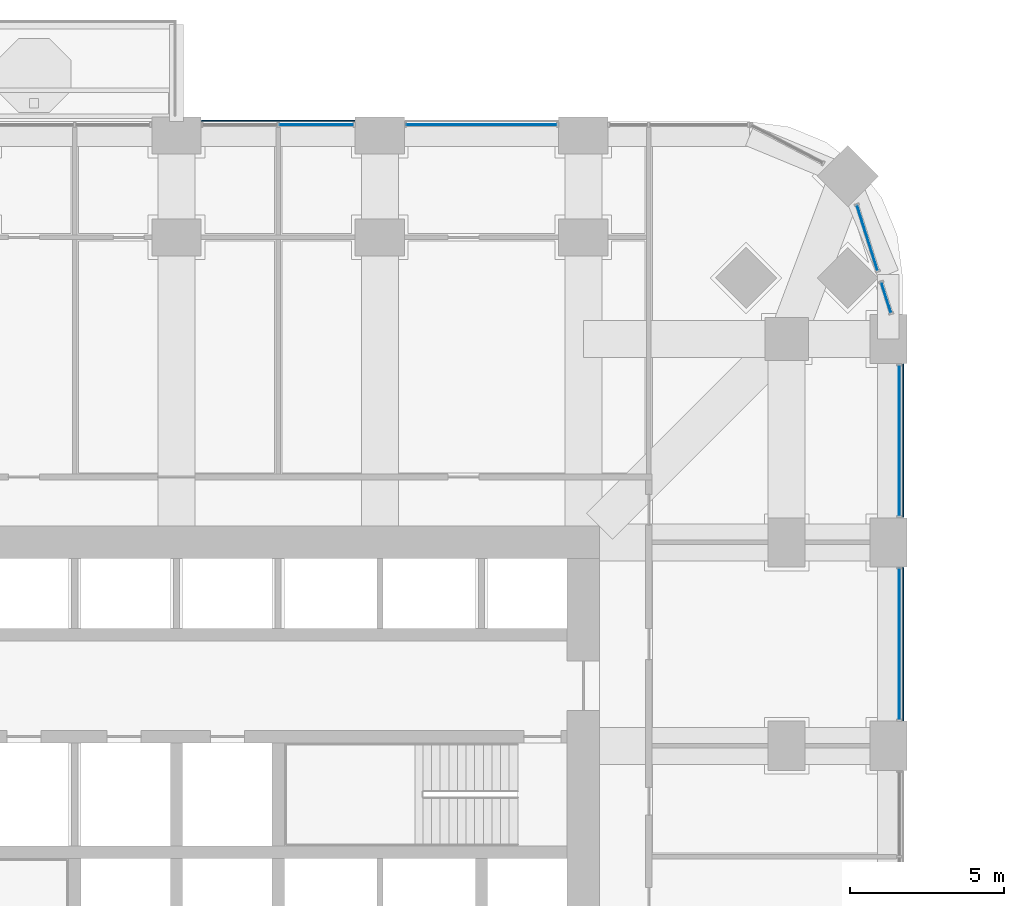
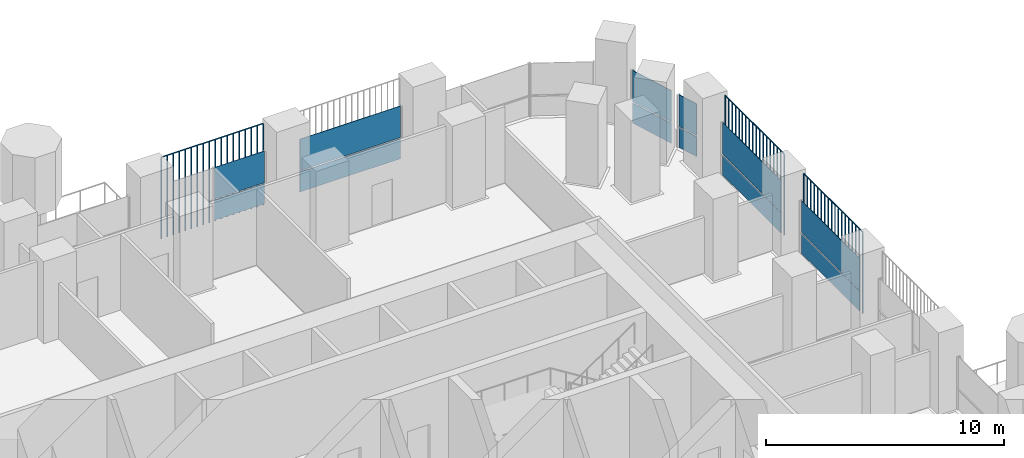
# One storey, part 11 of 21: 15 plates, 6 elements without a shape of their own.
"""IFC4 building model written with IfcOpenShell, lengths in metres."""

from ifc_helpers import new_model, si_unit, direction, frame, origin, origin_2d, place, context, subcontext, project, spatial, polyline, rectangle, outline, extrude, material, layer, layer_set, type_object, element, aggregate, save


model = new_model("IFC4")

# Units and contexts
model_context = context("Model", 3, precision=1e-05, world=origin(), true_north=direction((0.0, 1.0)))
body_context = subcontext(model_context, "Body", "Model", "MODEL_VIEW")
ifc_project = project(units=[si_unit("LENGTHUNIT", "METRE"), si_unit("AREAUNIT", "SQUARE_METRE"), si_unit("VOLUMEUNIT", "CUBIC_METRE"), si_unit("PLANEANGLEUNIT", "RADIAN"), si_unit("MASSUNIT", "GRAM", prefix="KILO")], contexts=[model_context])

# Site, building, storey
site_placement = place(None, origin())
site = spatial("IfcSite", under=ifc_project, at=site_placement, CompositionType="ELEMENT")
building_placement = place(site_placement, origin())
building = spatial("IfcBuilding", under=site, at=building_placement, Name="Cobogo Forest Laboratory Tower", CompositionType="ELEMENT")
storey_placement = place(building_placement, frame((0.0, 0.0, 90.60009765625)))
storey = spatial("IfcBuildingStorey", under=building, at=storey_placement, Name="L20", CompositionType="ELEMENT", Elevation=90.60009765625)

# Curtain wall, plates
ifc_material_1 = material(Name="Aluminium curtain wall", Category="aluminium")
curtain_wall_type = type_object("IfcCurtainWallType", Name="CW-1 unitised curtain wall, clear glazing, laboratory floors zones A and B", PredefinedType="USERDEFINED", material=ifc_material_1)
curtain_wall_1_placement = place(storey_placement, origin())
curtain_wall_1 = element("IfcCurtainWall", 1, at=curtain_wall_1_placement, inside=storey, type_object=curtain_wall_type, Name="Curtain wall 13 L20", ObjectType="UNITISED CURTAIN WALL", PredefinedType="USERDEFINED")
ifc_material_2 = material(Name="Clear insulated glass", Category="glass")
ifc_layer = layer(ifc_material_2, 0.028076171875)
ifc_layer_set = layer_set([ifc_layer], Name="GP-1 clear insulated glass unit 28")
plate_type_1 = type_object("IfcPlateType", Name="GP-1 clear insulated glass unit 28", PredefinedType="CURTAIN_PANEL", material=ifc_layer_set)
plate_1_placement = place(storey_placement, frame((49.85009765625, 29.699951171875, 0.0), z_axis=(0.0, 0.0, 1.0), x_axis=(0.0, 1.0, 0.0)))
plate_1 = element("IfcPlate", 2, at=plate_1_placement, type_object=plate_type_1, Name="CW-1 panel 1.1", PredefinedType="CURTAIN_PANEL", context=body_context, shape_type="SweptSolid", body=[
    extrude(rectangle(XDim=4.8798828125, YDim=0.028076171875, at=origin_2d()), origin(), (0.0, 0.0, 1.0), 1.02001953125),
])
plate_2_placement = place(storey_placement, frame((49.85009765625, 29.699951171875, 1.079833984375), z_axis=(0.0, 0.0, 1.0), x_axis=(0.0, 1.0, 0.0)))
plate_2 = element("IfcPlate", 3, at=plate_2_placement, type_object=plate_type_1, Name="CW-1 panel 1.2", PredefinedType="CURTAIN_PANEL", context=body_context, shape_type="SweptSolid", body=[
    extrude(rectangle(XDim=4.8798828125, YDim=0.028076171875, at=origin_2d()), origin(), (0.0, 0.0, 1.0), 1.6201171875),
])
aggregate(curtain_wall_1, [plate_1, plate_2])

curtain_wall_2_placement = place(storey_placement, origin())
curtain_wall_2 = element("IfcCurtainWall", 4, at=curtain_wall_2_placement, inside=storey, type_object=curtain_wall_type, Name="Curtain wall 14 L20", ObjectType="UNITISED CURTAIN WALL", PredefinedType="USERDEFINED")
plate_3_placement = place(storey_placement, frame((49.85009765625, 36.300048828125, 0.0), z_axis=(0.0, 0.0, 1.0), x_axis=(0.0, 1.0, 0.0)))
plate_3 = element("IfcPlate", 5, at=plate_3_placement, type_object=plate_type_1, Name="CW-1 panel 1.1", PredefinedType="CURTAIN_PANEL", context=body_context, shape_type="SweptSolid", body=[
    extrude(rectangle(XDim=4.8798828125, YDim=0.028076171875, at=origin_2d()), origin(), (0.0, 0.0, 1.0), 1.02001953125),
])
plate_4_placement = place(storey_placement, frame((49.85009765625, 36.300048828125, 1.079833984375), z_axis=(0.0, 0.0, 1.0), x_axis=(0.0, 1.0, 0.0)))
plate_4 = element("IfcPlate", 6, at=plate_4_placement, type_object=plate_type_1, Name="CW-1 panel 1.2", PredefinedType="CURTAIN_PANEL", context=body_context, shape_type="SweptSolid", body=[
    extrude(rectangle(XDim=4.8798828125, YDim=0.028076171875, at=origin_2d()), origin(), (0.0, 0.0, 1.0), 1.6201171875),
])
aggregate(curtain_wall_2, [plate_3, plate_4])

curtain_wall_3_placement = place(storey_placement, origin())
curtain_wall_3 = element("IfcCurtainWall", 7, at=curtain_wall_3_placement, inside=storey, type_object=curtain_wall_type, Name="Curtain wall 15 L20", ObjectType="UNITISED CURTAIN WALL", PredefinedType="USERDEFINED")
plate_5_placement = place(storey_placement, frame((49.426513671875, 40.94091796875, 0.0), z_axis=(0.0, 0.0, 1.0), x_axis=(-0.3011355018, 0.953581359694, 0.0)))
plate_5 = element("IfcPlate", 8, at=plate_5_placement, type_object=plate_type_1, Name="CW-1 panel 1.1", PredefinedType="CURTAIN_PANEL", context=body_context, shape_type="SweptSolid", body=[
    extrude(rectangle(XDim=1.0146484375, YDim=0.028076171875, at=origin_2d()), origin(), (0.0, 0.0, 1.0), 1.02001953125),
])
plate_6_placement = place(storey_placement, frame((49.426513671875, 40.94091796875, 1.079833984375), z_axis=(0.0, 0.0, 1.0), x_axis=(-0.3011355018, 0.953581359694, 0.0)))
plate_6 = element("IfcPlate", 9, at=plate_6_placement, type_object=plate_type_1, Name="CW-1 panel 1.2", PredefinedType="CURTAIN_PANEL", context=body_context, shape_type="SweptSolid", body=[
    extrude(rectangle(XDim=1.0146484375, YDim=0.028076171875, at=origin_2d()), origin(), (0.0, 0.0, 1.0), 1.6201171875),
])
aggregate(curtain_wall_3, [plate_5, plate_6])

curtain_wall_4_placement = place(storey_placement, origin())
curtain_wall_4 = element("IfcCurtainWall", 10, at=curtain_wall_4_placement, inside=storey, type_object=curtain_wall_type, Name="Curtain wall 16 L20", ObjectType="UNITISED CURTAIN WALL", PredefinedType="USERDEFINED")
plate_7_placement = place(storey_placement, frame((48.8134765625, 42.882080078125, 0.0), z_axis=(0.0, 0.0, 1.0), x_axis=(-0.301135343623, 0.953581409645, 0.0)))
plate_7 = element("IfcPlate", 11, at=plate_7_placement, type_object=plate_type_1, Name="CW-1 panel 1.1", PredefinedType="CURTAIN_PANEL", context=body_context, shape_type="SweptSolid", body=[
    extrude(rectangle(XDim=2.203369140625, YDim=0.028076171875, at=origin_2d()), origin(), (0.0, 0.0, 1.0), 1.02001953125),
])
plate_8_placement = place(storey_placement, frame((48.8134765625, 42.882080078125, 1.079833984375), z_axis=(0.0, 0.0, 1.0), x_axis=(-0.301135343623, 0.953581409645, 0.0)))
plate_8 = element("IfcPlate", 12, at=plate_8_placement, type_object=plate_type_1, Name="CW-1 panel 1.2", PredefinedType="CURTAIN_PANEL", context=body_context, shape_type="SweptSolid", body=[
    extrude(rectangle(XDim=2.203369140625, YDim=0.028076171875, at=origin_2d()), origin(), (0.0, 0.0, 1.0), 1.6201171875),
])
aggregate(curtain_wall_4, [plate_7, plate_8])

curtain_wall_5_placement = place(storey_placement, origin())
curtain_wall_5 = element("IfcCurtainWall", 13, at=curtain_wall_5_placement, inside=storey, type_object=curtain_wall_type, Name="Curtain wall 19 L20", ObjectType="UNITISED CURTAIN WALL", PredefinedType="USERDEFINED")
plate_9_placement = place(storey_placement, frame((36.300048828125, 46.550048828125, 0.0), z_axis=(0.0, 0.0, 1.0), x_axis=(-1.0, 0.0, 0.0)))
plate_9 = element("IfcPlate", 14, at=plate_9_placement, type_object=plate_type_1, Name="CW-1 panel 1.1", PredefinedType="CURTAIN_PANEL", context=body_context, shape_type="SweptSolid", body=[
    extrude(rectangle(XDim=4.8798828125, YDim=0.028076171875, at=origin_2d()), origin(), (0.0, 0.0, 1.0), 1.02001953125),
])
plate_10_placement = place(storey_placement, frame((36.300048828125, 46.550048828125, 1.079833984375), z_axis=(0.0, 0.0, 1.0), x_axis=(-1.0, 0.0, 0.0)))
plate_10 = element("IfcPlate", 15, at=plate_10_placement, type_object=plate_type_1, Name="CW-1 panel 1.2", PredefinedType="CURTAIN_PANEL", context=body_context, shape_type="SweptSolid", body=[
    extrude(rectangle(XDim=4.8798828125, YDim=0.028076171875, at=origin_2d()), origin(), (0.0, 0.0, 1.0), 1.6201171875),
])
aggregate(curtain_wall_5, [plate_9, plate_10])

curtain_wall_6_placement = place(storey_placement, origin())
curtain_wall_6 = element("IfcCurtainWall", 16, at=curtain_wall_6_placement, inside=storey, type_object=curtain_wall_type, Name="Curtain wall 20 L20", ObjectType="UNITISED CURTAIN WALL", PredefinedType="USERDEFINED")
plate_11_placement = place(storey_placement, frame((30.93505859375, 46.550048828125, 0.0), z_axis=(0.0, 0.0, 1.0), x_axis=(-1.0, 0.0, 0.0)))
plate_11 = element("IfcPlate", 17, at=plate_11_placement, type_object=plate_type_1, Name="CW-1 panel 1.1", PredefinedType="CURTAIN_PANEL", context=body_context, shape_type="SweptSolid", body=[
    extrude(rectangle(XDim=2.409912109375, YDim=0.028076171875, at=origin_2d()), origin(), (0.0, 0.0, 1.0), 1.02001953125),
])
plate_12_placement = place(storey_placement, frame((30.93505859375, 46.550048828125, 1.079833984375), z_axis=(0.0, 0.0, 1.0), x_axis=(-1.0, 0.0, 0.0)))
plate_12 = element("IfcPlate", 18, at=plate_12_placement, type_object=plate_type_1, Name="CW-1 panel 1.2", PredefinedType="CURTAIN_PANEL", context=body_context, shape_type="SweptSolid", body=[
    extrude(rectangle(XDim=2.409912109375, YDim=0.028076171875, at=origin_2d()), origin(), (0.0, 0.0, 1.0), 1.6201171875),
])
aggregate(curtain_wall_6, [plate_11, plate_12])

# Plates
ifc_material_3 = material(Name="Terracotta", Category="masonry")
plate_type_2 = type_object("IfcPlateType", Name="TB1 terracotta baguette screen", PredefinedType="USERDEFINED", material=ifc_material_3)
plate_13_placement = place(storey_placement, frame((49.977783203125, 27.231201171875, -0.150146484375)))
element("IfcPlate", 19, at=plate_13_placement, inside=storey, type_object=plate_type_2, Name="Baguette screen E4 L20", ObjectType="BAGUETTE SCREEN", PredefinedType="USERDEFINED", context=body_context, shape_type="SweptSolid", body=[
    extrude(outline(polyline([(0.02880859375, 0.011962890625), (0.011962890625, 0.02880859375), (-0.011962890625, 0.02880859375), (-0.02880859375, 0.011962890625), (-0.02880859375, -0.011962890625), (-0.011962890625, -0.02880859375), (0.011962890625, -0.02880859375), (0.02880859375, -0.011962890625), (0.02880859375, 0.011962890625)])), frame((0.0, 0.0, 4.168701171875), z_axis=(0.0, 1.0, 0.0), x_axis=(-1.0, 0.0, 0.0)), (0.0, 0.0, 1.0), 4.9375),
    extrude(outline(polyline([(0.02880859375, 0.011962890625), (0.011962890625, 0.02880859375), (-0.011962890625, 0.02880859375), (-0.02880859375, 0.011962890625), (-0.02880859375, -0.011962890625), (-0.011962890625, -0.02880859375), (0.011962890625, -0.02880859375), (0.02880859375, -0.011962890625), (0.02880859375, 0.011962890625)])), origin(), (0.0, 0.0, 1.0), 4.137451171875),
    extrude(outline(polyline([(0.02880859375, 0.011962890625), (0.011962890625, 0.02880859375), (-0.011962890625, 0.02880859375), (-0.02880859375, 0.011962890625), (-0.02880859375, -0.011962890625), (-0.011962890625, -0.02880859375), (0.011962890625, -0.02880859375), (0.02880859375, -0.011962890625), (0.02880859375, 0.011962890625)])), frame((0.0, 0.29052734375, 0.0)), (0.0, 0.0, 1.0), 4.137451171875),
    extrude(outline(polyline([(0.02880859375, 0.011962890625), (0.011962890625, 0.02880859375), (-0.011962890625, 0.02880859375), (-0.02880859375, 0.011962890625), (-0.02880859375, -0.011962890625), (-0.011962890625, -0.02880859375), (0.011962890625, -0.02880859375), (0.02880859375, -0.011962890625), (0.02880859375, 0.011962890625)])), frame((0.0, 0.580810546875, 0.0)), (0.0, 0.0, 1.0), 4.137451171875),
    extrude(outline(polyline([(0.02880859375, 0.011962890625), (0.011962890625, 0.02880859375), (-0.011962890625, 0.02880859375), (-0.02880859375, 0.011962890625), (-0.02880859375, -0.011962890625), (-0.011962890625, -0.02880859375), (0.011962890625, -0.02880859375), (0.02880859375, -0.011962890625), (0.02880859375, 0.011962890625)])), frame((0.0, 0.871337890625, 0.0)), (0.0, 0.0, 1.0), 4.137451171875),
    extrude(outline(polyline([(0.02880859375, 0.011962890625), (0.011962890625, 0.02880859375), (-0.011962890625, 0.02880859375), (-0.02880859375, 0.011962890625), (-0.02880859375, -0.011962890625), (-0.011962890625, -0.02880859375), (0.011962890625, -0.02880859375), (0.02880859375, -0.011962890625), (0.02880859375, 0.011962890625)])), frame((0.0, 1.161865234375, 0.0)), (0.0, 0.0, 1.0), 4.137451171875),
    extrude(outline(polyline([(0.02880859375, 0.011962890625), (0.011962890625, 0.02880859375), (-0.011962890625, 0.02880859375), (-0.02880859375, 0.011962890625), (-0.02880859375, -0.011962890625), (-0.011962890625, -0.02880859375), (0.011962890625, -0.02880859375), (0.02880859375, -0.011962890625), (0.02880859375, 0.011962890625)])), frame((0.0, 1.4521484375, 0.0)), (0.0, 0.0, 1.0), 4.137451171875),
    extrude(outline(polyline([(0.02880859375, 0.011962890625), (0.011962890625, 0.02880859375), (-0.011962890625, 0.02880859375), (-0.02880859375, 0.011962890625), (-0.02880859375, -0.011962890625), (-0.011962890625, -0.02880859375), (0.011962890625, -0.02880859375), (0.02880859375, -0.011962890625), (0.02880859375, 0.011962890625)])), frame((0.0, 1.74267578125, 0.0)), (0.0, 0.0, 1.0), 4.137451171875),
    extrude(outline(polyline([(0.02880859375, 0.011962890625), (0.011962890625, 0.02880859375), (-0.011962890625, 0.02880859375), (-0.02880859375, 0.011962890625), (-0.02880859375, -0.011962890625), (-0.011962890625, -0.02880859375), (0.011962890625, -0.02880859375), (0.02880859375, -0.011962890625), (0.02880859375, 0.011962890625)])), frame((0.0, 2.033203125, 0.0)), (0.0, 0.0, 1.0), 4.137451171875),
    extrude(outline(polyline([(0.02880859375, 0.011962890625), (0.011962890625, 0.02880859375), (-0.011962890625, 0.02880859375), (-0.02880859375, 0.011962890625), (-0.02880859375, -0.011962890625), (-0.011962890625, -0.02880859375), (0.011962890625, -0.02880859375), (0.02880859375, -0.011962890625), (0.02880859375, 0.011962890625)])), frame((0.0, 2.323486328125, 0.0)), (0.0, 0.0, 1.0), 4.137451171875),
    extrude(outline(polyline([(0.02880859375, 0.011962890625), (0.011962890625, 0.02880859375), (-0.011962890625, 0.02880859375), (-0.02880859375, 0.011962890625), (-0.02880859375, -0.011962890625), (-0.011962890625, -0.02880859375), (0.011962890625, -0.02880859375), (0.02880859375, -0.011962890625), (0.02880859375, 0.011962890625)])), frame((0.0, 2.614013671875, 0.0)), (0.0, 0.0, 1.0), 4.137451171875),
    extrude(outline(polyline([(0.02880859375, 0.011962890625), (0.011962890625, 0.02880859375), (-0.011962890625, 0.02880859375), (-0.02880859375, 0.011962890625), (-0.02880859375, -0.011962890625), (-0.011962890625, -0.02880859375), (0.011962890625, -0.02880859375), (0.02880859375, -0.011962890625), (0.02880859375, 0.011962890625)])), frame((0.0, 2.904296875, 0.0)), (0.0, 0.0, 1.0), 4.137451171875),
    extrude(outline(polyline([(0.02880859375, 0.011962890625), (0.011962890625, 0.02880859375), (-0.011962890625, 0.02880859375), (-0.02880859375, 0.011962890625), (-0.02880859375, -0.011962890625), (-0.011962890625, -0.02880859375), (0.011962890625, -0.02880859375), (0.02880859375, -0.011962890625), (0.02880859375, 0.011962890625)])), frame((0.0, 3.19482421875, 0.0)), (0.0, 0.0, 1.0), 4.137451171875),
    extrude(outline(polyline([(0.02880859375, 0.011962890625), (0.011962890625, 0.02880859375), (-0.011962890625, 0.02880859375), (-0.02880859375, 0.011962890625), (-0.02880859375, -0.011962890625), (-0.011962890625, -0.02880859375), (0.011962890625, -0.02880859375), (0.02880859375, -0.011962890625), (0.02880859375, 0.011962890625)])), frame((0.0, 3.4853515625, 0.0)), (0.0, 0.0, 1.0), 4.137451171875),
    extrude(outline(polyline([(0.02880859375, 0.011962890625), (0.011962890625, 0.02880859375), (-0.011962890625, 0.02880859375), (-0.02880859375, 0.011962890625), (-0.02880859375, -0.011962890625), (-0.011962890625, -0.02880859375), (0.011962890625, -0.02880859375), (0.02880859375, -0.011962890625), (0.02880859375, 0.011962890625)])), frame((0.0, 3.775634765625, 0.0)), (0.0, 0.0, 1.0), 4.137451171875),
    extrude(outline(polyline([(0.02880859375, 0.011962890625), (0.011962890625, 0.02880859375), (-0.011962890625, 0.02880859375), (-0.02880859375, 0.011962890625), (-0.02880859375, -0.011962890625), (-0.011962890625, -0.02880859375), (0.011962890625, -0.02880859375), (0.02880859375, -0.011962890625), (0.02880859375, 0.011962890625)])), frame((0.0, 4.066162109375, 0.0)), (0.0, 0.0, 1.0), 4.137451171875),
    extrude(outline(polyline([(0.02880859375, 0.011962890625), (0.011962890625, 0.02880859375), (-0.011962890625, 0.02880859375), (-0.02880859375, 0.011962890625), (-0.02880859375, -0.011962890625), (-0.011962890625, -0.02880859375), (0.011962890625, -0.02880859375), (0.02880859375, -0.011962890625), (0.02880859375, 0.011962890625)])), frame((0.0, 4.356689453125, 0.0)), (0.0, 0.0, 1.0), 4.137451171875),
    extrude(outline(polyline([(0.02880859375, 0.011962890625), (0.011962890625, 0.02880859375), (-0.011962890625, 0.02880859375), (-0.02880859375, 0.011962890625), (-0.02880859375, -0.011962890625), (-0.011962890625, -0.02880859375), (0.011962890625, -0.02880859375), (0.02880859375, -0.011962890625), (0.02880859375, 0.011962890625)])), frame((0.0, 4.64697265625, 0.0)), (0.0, 0.0, 1.0), 4.137451171875),
    extrude(outline(polyline([(0.02880859375, 0.011962890625), (0.011962890625, 0.02880859375), (-0.011962890625, 0.02880859375), (-0.02880859375, 0.011962890625), (-0.02880859375, -0.011962890625), (-0.011962890625, -0.02880859375), (0.011962890625, -0.02880859375), (0.02880859375, -0.011962890625), (0.02880859375, 0.011962890625)])), frame((0.0, 4.9375, 0.0)), (0.0, 0.0, 1.0), 4.137451171875),
])
plate_14_placement = place(storey_placement, frame((49.977783203125, 33.831298828125, -0.150146484375)))
element("IfcPlate", 20, at=plate_14_placement, inside=storey, type_object=plate_type_2, Name="Baguette screen E5 L20", ObjectType="BAGUETTE SCREEN", PredefinedType="USERDEFINED", context=body_context, shape_type="SweptSolid", body=[
    extrude(outline(polyline([(0.02880859375, 0.011962890625), (0.011962890625, 0.02880859375), (-0.011962890625, 0.02880859375), (-0.02880859375, 0.011962890625), (-0.02880859375, -0.011962890625), (-0.011962890625, -0.02880859375), (0.011962890625, -0.02880859375), (0.02880859375, -0.011962890625), (0.02880859375, 0.011962890625)])), frame((0.0, 0.0, 4.168701171875), z_axis=(0.0, 1.0, 0.0), x_axis=(-1.0, 0.0, 0.0)), (0.0, 0.0, 1.0), 4.9375),
    extrude(outline(polyline([(0.02880859375, 0.011962890625), (0.011962890625, 0.02880859375), (-0.011962890625, 0.02880859375), (-0.02880859375, 0.011962890625), (-0.02880859375, -0.011962890625), (-0.011962890625, -0.02880859375), (0.011962890625, -0.02880859375), (0.02880859375, -0.011962890625), (0.02880859375, 0.011962890625)])), origin(), (0.0, 0.0, 1.0), 4.137451171875),
    extrude(outline(polyline([(0.02880859375, 0.011962890625), (0.011962890625, 0.02880859375), (-0.011962890625, 0.02880859375), (-0.02880859375, 0.011962890625), (-0.02880859375, -0.011962890625), (-0.011962890625, -0.02880859375), (0.011962890625, -0.02880859375), (0.02880859375, -0.011962890625), (0.02880859375, 0.011962890625)])), frame((0.0, 0.29052734375, 0.0)), (0.0, 0.0, 1.0), 4.137451171875),
    extrude(outline(polyline([(0.02880859375, 0.011962890625), (0.011962890625, 0.02880859375), (-0.011962890625, 0.02880859375), (-0.02880859375, 0.011962890625), (-0.02880859375, -0.011962890625), (-0.011962890625, -0.02880859375), (0.011962890625, -0.02880859375), (0.02880859375, -0.011962890625), (0.02880859375, 0.011962890625)])), frame((0.0, 0.580810546875, 0.0)), (0.0, 0.0, 1.0), 4.137451171875),
    extrude(outline(polyline([(0.02880859375, 0.011962890625), (0.011962890625, 0.02880859375), (-0.011962890625, 0.02880859375), (-0.02880859375, 0.011962890625), (-0.02880859375, -0.011962890625), (-0.011962890625, -0.02880859375), (0.011962890625, -0.02880859375), (0.02880859375, -0.011962890625), (0.02880859375, 0.011962890625)])), frame((0.0, 0.871337890625, 0.0)), (0.0, 0.0, 1.0), 4.137451171875),
    extrude(outline(polyline([(0.02880859375, 0.011962890625), (0.011962890625, 0.02880859375), (-0.011962890625, 0.02880859375), (-0.02880859375, 0.011962890625), (-0.02880859375, -0.011962890625), (-0.011962890625, -0.02880859375), (0.011962890625, -0.02880859375), (0.02880859375, -0.011962890625), (0.02880859375, 0.011962890625)])), frame((0.0, 1.161865234375, 0.0)), (0.0, 0.0, 1.0), 4.137451171875),
    extrude(outline(polyline([(0.02880859375, 0.011962890625), (0.011962890625, 0.02880859375), (-0.011962890625, 0.02880859375), (-0.02880859375, 0.011962890625), (-0.02880859375, -0.011962890625), (-0.011962890625, -0.02880859375), (0.011962890625, -0.02880859375), (0.02880859375, -0.011962890625), (0.02880859375, 0.011962890625)])), frame((0.0, 1.4521484375, 0.0)), (0.0, 0.0, 1.0), 4.137451171875),
    extrude(outline(polyline([(0.02880859375, 0.011962890625), (0.011962890625, 0.02880859375), (-0.011962890625, 0.02880859375), (-0.02880859375, 0.011962890625), (-0.02880859375, -0.011962890625), (-0.011962890625, -0.02880859375), (0.011962890625, -0.02880859375), (0.02880859375, -0.011962890625), (0.02880859375, 0.011962890625)])), frame((0.0, 1.74267578125, 0.0)), (0.0, 0.0, 1.0), 4.137451171875),
    extrude(outline(polyline([(0.02880859375, 0.011962890625), (0.011962890625, 0.02880859375), (-0.011962890625, 0.02880859375), (-0.02880859375, 0.011962890625), (-0.02880859375, -0.011962890625), (-0.011962890625, -0.02880859375), (0.011962890625, -0.02880859375), (0.02880859375, -0.011962890625), (0.02880859375, 0.011962890625)])), frame((0.0, 2.033203125, 0.0)), (0.0, 0.0, 1.0), 4.137451171875),
    extrude(outline(polyline([(0.02880859375, 0.011962890625), (0.011962890625, 0.02880859375), (-0.011962890625, 0.02880859375), (-0.02880859375, 0.011962890625), (-0.02880859375, -0.011962890625), (-0.011962890625, -0.02880859375), (0.011962890625, -0.02880859375), (0.02880859375, -0.011962890625), (0.02880859375, 0.011962890625)])), frame((0.0, 2.323486328125, 0.0)), (0.0, 0.0, 1.0), 4.137451171875),
    extrude(outline(polyline([(0.02880859375, 0.011962890625), (0.011962890625, 0.02880859375), (-0.011962890625, 0.02880859375), (-0.02880859375, 0.011962890625), (-0.02880859375, -0.011962890625), (-0.011962890625, -0.02880859375), (0.011962890625, -0.02880859375), (0.02880859375, -0.011962890625), (0.02880859375, 0.011962890625)])), frame((0.0, 2.614013671875, 0.0)), (0.0, 0.0, 1.0), 4.137451171875),
    extrude(outline(polyline([(0.02880859375, 0.011962890625), (0.011962890625, 0.02880859375), (-0.011962890625, 0.02880859375), (-0.02880859375, 0.011962890625), (-0.02880859375, -0.011962890625), (-0.011962890625, -0.02880859375), (0.011962890625, -0.02880859375), (0.02880859375, -0.011962890625), (0.02880859375, 0.011962890625)])), frame((0.0, 2.904296875, 0.0)), (0.0, 0.0, 1.0), 4.137451171875),
    extrude(outline(polyline([(0.02880859375, 0.011962890625), (0.011962890625, 0.02880859375), (-0.011962890625, 0.02880859375), (-0.02880859375, 0.011962890625), (-0.02880859375, -0.011962890625), (-0.011962890625, -0.02880859375), (0.011962890625, -0.02880859375), (0.02880859375, -0.011962890625), (0.02880859375, 0.011962890625)])), frame((0.0, 3.19482421875, 0.0)), (0.0, 0.0, 1.0), 4.137451171875),
    extrude(outline(polyline([(0.02880859375, 0.011962890625), (0.011962890625, 0.02880859375), (-0.011962890625, 0.02880859375), (-0.02880859375, 0.011962890625), (-0.02880859375, -0.011962890625), (-0.011962890625, -0.02880859375), (0.011962890625, -0.02880859375), (0.02880859375, -0.011962890625), (0.02880859375, 0.011962890625)])), frame((0.0, 3.4853515625, 0.0)), (0.0, 0.0, 1.0), 4.137451171875),
    extrude(outline(polyline([(0.02880859375, 0.011962890625), (0.011962890625, 0.02880859375), (-0.011962890625, 0.02880859375), (-0.02880859375, 0.011962890625), (-0.02880859375, -0.011962890625), (-0.011962890625, -0.02880859375), (0.011962890625, -0.02880859375), (0.02880859375, -0.011962890625), (0.02880859375, 0.011962890625)])), frame((0.0, 3.775634765625, 0.0)), (0.0, 0.0, 1.0), 4.137451171875),
    extrude(outline(polyline([(0.02880859375, 0.011962890625), (0.011962890625, 0.02880859375), (-0.011962890625, 0.02880859375), (-0.02880859375, 0.011962890625), (-0.02880859375, -0.011962890625), (-0.011962890625, -0.02880859375), (0.011962890625, -0.02880859375), (0.02880859375, -0.011962890625), (0.02880859375, 0.011962890625)])), frame((0.0, 4.066162109375, 0.0)), (0.0, 0.0, 1.0), 4.137451171875),
    extrude(outline(polyline([(0.02880859375, 0.011962890625), (0.011962890625, 0.02880859375), (-0.011962890625, 0.02880859375), (-0.02880859375, 0.011962890625), (-0.02880859375, -0.011962890625), (-0.011962890625, -0.02880859375), (0.011962890625, -0.02880859375), (0.02880859375, -0.011962890625), (0.02880859375, 0.011962890625)])), frame((0.0, 4.356689453125, 0.0)), (0.0, 0.0, 1.0), 4.137451171875),
    extrude(outline(polyline([(0.02880859375, 0.011962890625), (0.011962890625, 0.02880859375), (-0.011962890625, 0.02880859375), (-0.02880859375, 0.011962890625), (-0.02880859375, -0.011962890625), (-0.011962890625, -0.02880859375), (0.011962890625, -0.02880859375), (0.02880859375, -0.011962890625), (0.02880859375, 0.011962890625)])), frame((0.0, 4.64697265625, 0.0)), (0.0, 0.0, 1.0), 4.137451171875),
    extrude(outline(polyline([(0.02880859375, 0.011962890625), (0.011962890625, 0.02880859375), (-0.011962890625, 0.02880859375), (-0.02880859375, 0.011962890625), (-0.02880859375, -0.011962890625), (-0.011962890625, -0.02880859375), (0.011962890625, -0.02880859375), (0.02880859375, -0.011962890625), (0.02880859375, 0.011962890625)])), frame((0.0, 4.9375, 0.0)), (0.0, 0.0, 1.0), 4.137451171875),
])
plate_15_placement = place(storey_placement, frame((27.231201171875, 46.677978515625, -0.150146484375)))
element("IfcPlate", 21, at=plate_15_placement, inside=storey, type_object=plate_type_2, Name="Baguette screen N3 L20", ObjectType="BAGUETTE SCREEN", PredefinedType="USERDEFINED", context=body_context, shape_type="SweptSolid", body=[
    extrude(outline(polyline([(0.02880859375, 0.011962890625), (0.011962890625, 0.02880859375), (-0.011962890625, 0.02880859375), (-0.02880859375, 0.011962890625), (-0.02880859375, -0.011962890625), (-0.011962890625, -0.02880859375), (0.011962890625, -0.02880859375), (0.02880859375, -0.011962890625), (0.02880859375, 0.011962890625)])), frame((0.0, 0.0, 4.168701171875), z_axis=(1.0, 0.0, 0.0), x_axis=(0.0, 1.0, 0.0)), (0.0, 0.0, 1.0), 4.9375),
    extrude(outline(polyline([(0.02880859375, 0.011962890625), (0.011962890625, 0.02880859375), (-0.011962890625, 0.02880859375), (-0.02880859375, 0.011962890625), (-0.02880859375, -0.011962890625), (-0.011962890625, -0.02880859375), (0.011962890625, -0.02880859375), (0.02880859375, -0.011962890625), (0.02880859375, 0.011962890625)])), origin(), (0.0, 0.0, 1.0), 4.137451171875),
    extrude(outline(polyline([(0.02880859375, 0.011962890625), (0.011962890625, 0.02880859375), (-0.011962890625, 0.02880859375), (-0.02880859375, 0.011962890625), (-0.02880859375, -0.011962890625), (-0.011962890625, -0.02880859375), (0.011962890625, -0.02880859375), (0.02880859375, -0.011962890625), (0.02880859375, 0.011962890625)])), frame((0.29052734375, 0.0, 0.0)), (0.0, 0.0, 1.0), 4.137451171875),
    extrude(outline(polyline([(0.02880859375, 0.011962890625), (0.011962890625, 0.02880859375), (-0.011962890625, 0.02880859375), (-0.02880859375, 0.011962890625), (-0.02880859375, -0.011962890625), (-0.011962890625, -0.02880859375), (0.011962890625, -0.02880859375), (0.02880859375, -0.011962890625), (0.02880859375, 0.011962890625)])), frame((0.580810546875, 0.0, 0.0)), (0.0, 0.0, 1.0), 4.137451171875),
    extrude(outline(polyline([(0.02880859375, 0.011962890625), (0.011962890625, 0.02880859375), (-0.011962890625, 0.02880859375), (-0.02880859375, 0.011962890625), (-0.02880859375, -0.011962890625), (-0.011962890625, -0.02880859375), (0.011962890625, -0.02880859375), (0.02880859375, -0.011962890625), (0.02880859375, 0.011962890625)])), frame((0.871337890625, 0.0, 0.0)), (0.0, 0.0, 1.0), 4.137451171875),
    extrude(outline(polyline([(0.02880859375, 0.011962890625), (0.011962890625, 0.02880859375), (-0.011962890625, 0.02880859375), (-0.02880859375, 0.011962890625), (-0.02880859375, -0.011962890625), (-0.011962890625, -0.02880859375), (0.011962890625, -0.02880859375), (0.02880859375, -0.011962890625), (0.02880859375, 0.011962890625)])), frame((1.161865234375, 0.0, 0.0)), (0.0, 0.0, 1.0), 4.137451171875),
    extrude(outline(polyline([(0.02880859375, 0.011962890625), (0.011962890625, 0.02880859375), (-0.011962890625, 0.02880859375), (-0.02880859375, 0.011962890625), (-0.02880859375, -0.011962890625), (-0.011962890625, -0.02880859375), (0.011962890625, -0.02880859375), (0.02880859375, -0.011962890625), (0.02880859375, 0.011962890625)])), frame((1.4521484375, 0.0, 0.0)), (0.0, 0.0, 1.0), 4.137451171875),
    extrude(outline(polyline([(0.02880859375, 0.011962890625), (0.011962890625, 0.02880859375), (-0.011962890625, 0.02880859375), (-0.02880859375, 0.011962890625), (-0.02880859375, -0.011962890625), (-0.011962890625, -0.02880859375), (0.011962890625, -0.02880859375), (0.02880859375, -0.011962890625), (0.02880859375, 0.011962890625)])), frame((1.74267578125, 0.0, 0.0)), (0.0, 0.0, 1.0), 4.137451171875),
    extrude(outline(polyline([(0.02880859375, 0.011962890625), (0.011962890625, 0.02880859375), (-0.011962890625, 0.02880859375), (-0.02880859375, 0.011962890625), (-0.02880859375, -0.011962890625), (-0.011962890625, -0.02880859375), (0.011962890625, -0.02880859375), (0.02880859375, -0.011962890625), (0.02880859375, 0.011962890625)])), frame((2.033203125, 0.0, 0.0)), (0.0, 0.0, 1.0), 4.137451171875),
    extrude(outline(polyline([(0.02880859375, 0.011962890625), (0.011962890625, 0.02880859375), (-0.011962890625, 0.02880859375), (-0.02880859375, 0.011962890625), (-0.02880859375, -0.011962890625), (-0.011962890625, -0.02880859375), (0.011962890625, -0.02880859375), (0.02880859375, -0.011962890625), (0.02880859375, 0.011962890625)])), frame((2.323486328125, 0.0, 0.0)), (0.0, 0.0, 1.0), 4.137451171875),
    extrude(outline(polyline([(0.02880859375, 0.011962890625), (0.011962890625, 0.02880859375), (-0.011962890625, 0.02880859375), (-0.02880859375, 0.011962890625), (-0.02880859375, -0.011962890625), (-0.011962890625, -0.02880859375), (0.011962890625, -0.02880859375), (0.02880859375, -0.011962890625), (0.02880859375, 0.011962890625)])), frame((2.614013671875, 0.0, 0.0)), (0.0, 0.0, 1.0), 4.137451171875),
    extrude(outline(polyline([(0.02880859375, 0.011962890625), (0.011962890625, 0.02880859375), (-0.011962890625, 0.02880859375), (-0.02880859375, 0.011962890625), (-0.02880859375, -0.011962890625), (-0.011962890625, -0.02880859375), (0.011962890625, -0.02880859375), (0.02880859375, -0.011962890625), (0.02880859375, 0.011962890625)])), frame((2.904296875, 0.0, 0.0)), (0.0, 0.0, 1.0), 4.137451171875),
    extrude(outline(polyline([(0.02880859375, 0.011962890625), (0.011962890625, 0.02880859375), (-0.011962890625, 0.02880859375), (-0.02880859375, 0.011962890625), (-0.02880859375, -0.011962890625), (-0.011962890625, -0.02880859375), (0.011962890625, -0.02880859375), (0.02880859375, -0.011962890625), (0.02880859375, 0.011962890625)])), frame((3.19482421875, 0.0, 0.0)), (0.0, 0.0, 1.0), 4.137451171875),
    extrude(outline(polyline([(0.02880859375, 0.011962890625), (0.011962890625, 0.02880859375), (-0.011962890625, 0.02880859375), (-0.02880859375, 0.011962890625), (-0.02880859375, -0.011962890625), (-0.011962890625, -0.02880859375), (0.011962890625, -0.02880859375), (0.02880859375, -0.011962890625), (0.02880859375, 0.011962890625)])), frame((3.4853515625, 0.0, 0.0)), (0.0, 0.0, 1.0), 4.137451171875),
    extrude(outline(polyline([(0.02880859375, 0.011962890625), (0.011962890625, 0.02880859375), (-0.011962890625, 0.02880859375), (-0.02880859375, 0.011962890625), (-0.02880859375, -0.011962890625), (-0.011962890625, -0.02880859375), (0.011962890625, -0.02880859375), (0.02880859375, -0.011962890625), (0.02880859375, 0.011962890625)])), frame((3.775634765625, 0.0, 0.0)), (0.0, 0.0, 1.0), 4.137451171875),
    extrude(outline(polyline([(0.02880859375, 0.011962890625), (0.011962890625, 0.02880859375), (-0.011962890625, 0.02880859375), (-0.02880859375, 0.011962890625), (-0.02880859375, -0.011962890625), (-0.011962890625, -0.02880859375), (0.011962890625, -0.02880859375), (0.02880859375, -0.011962890625), (0.02880859375, 0.011962890625)])), frame((4.066162109375, 0.0, 0.0)), (0.0, 0.0, 1.0), 4.137451171875),
    extrude(outline(polyline([(0.02880859375, 0.011962890625), (0.011962890625, 0.02880859375), (-0.011962890625, 0.02880859375), (-0.02880859375, 0.011962890625), (-0.02880859375, -0.011962890625), (-0.011962890625, -0.02880859375), (0.011962890625, -0.02880859375), (0.02880859375, -0.011962890625), (0.02880859375, 0.011962890625)])), frame((4.356689453125, 0.0, 0.0)), (0.0, 0.0, 1.0), 4.137451171875),
    extrude(outline(polyline([(0.02880859375, 0.011962890625), (0.011962890625, 0.02880859375), (-0.011962890625, 0.02880859375), (-0.02880859375, 0.011962890625), (-0.02880859375, -0.011962890625), (-0.011962890625, -0.02880859375), (0.011962890625, -0.02880859375), (0.02880859375, -0.011962890625), (0.02880859375, 0.011962890625)])), frame((4.64697265625, 0.0, 0.0)), (0.0, 0.0, 1.0), 4.137451171875),
    extrude(outline(polyline([(0.02880859375, 0.011962890625), (0.011962890625, 0.02880859375), (-0.011962890625, 0.02880859375), (-0.02880859375, 0.011962890625), (-0.02880859375, -0.011962890625), (-0.011962890625, -0.02880859375), (0.011962890625, -0.02880859375), (0.02880859375, -0.011962890625), (0.02880859375, 0.011962890625)])), frame((4.9375, 0.0, 0.0)), (0.0, 0.0, 1.0), 4.137451171875),
])

save(model, "model.ifc")
